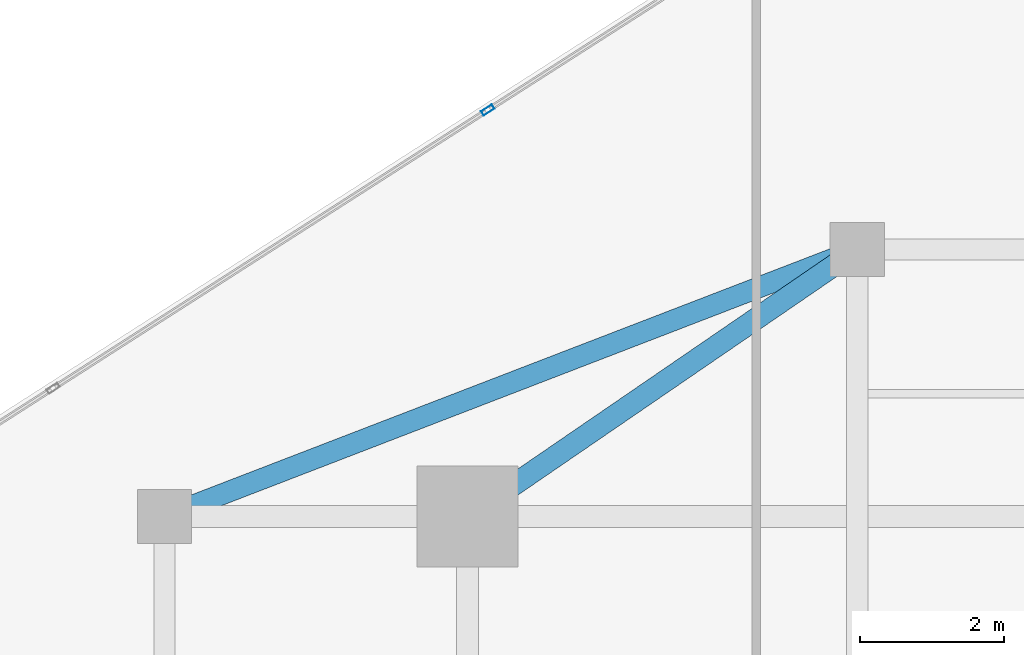
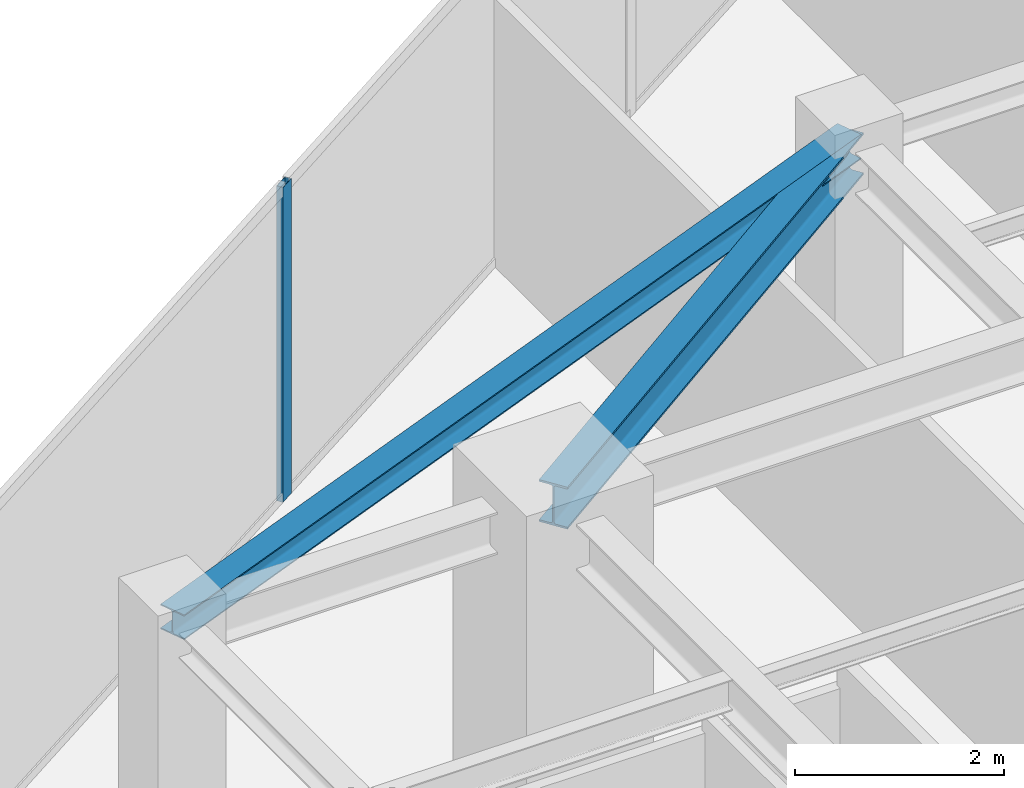
# One storey, part 12 of 20: 2 beams, 1 member, 1 element without a shape of its own.
"""IFC4 building model written with IfcOpenShell, lengths in metres."""

from ifc_helpers import new_model, si_unit, direction, frame, origin, origin_2d, place, context, subcontext, project, spatial, hollow_rectangle, i_section, extrude, source, transform, mapped, material, material_profile, profile_set, type_object, type_shapes, element, aggregate, save


model = new_model("IFC4")

# Units and contexts
model_context = context("Model", 3, precision=1e-05, world=origin(), true_north=direction((0.0, 1.0)))
body_context = subcontext(model_context, "Body", "Model", "MODEL_VIEW")
ifc_project = project(units=[si_unit("LENGTHUNIT", "METRE"), si_unit("AREAUNIT", "SQUARE_METRE"), si_unit("VOLUMEUNIT", "CUBIC_METRE"), si_unit("PLANEANGLEUNIT", "RADIAN"), si_unit("MASSUNIT", "GRAM", prefix="KILO")], contexts=[model_context])

# Site, building, storey
site_placement = place(None, origin())
site = spatial("IfcSite", under=ifc_project, at=site_placement, CompositionType="ELEMENT")
building_placement = place(site_placement, origin())
building = spatial("IfcBuilding", under=site, at=building_placement, Name="Krantzveldt Concourse Tower", CompositionType="ELEMENT")
storey_placement = place(building_placement, frame((0.0, 0.0, 283.199951171875)))
storey = spatial("IfcBuildingStorey", under=building, at=storey_placement, Name="L69", CompositionType="ELEMENT", Elevation=283.199951171875)

# Beams
ifc_material_1 = material(Name="Steel S355JR", Category="steel")
ifc_material_profile_1 = material_profile(ifc_material_1, i_section(OverallWidth=0.300048828125, OverallDepth=0.489990234375, WebThickness=0.011962890625, FlangeThickness=0.02294921875, FilletRadius=0.027099609375, at=origin_2d()), Name="Steel S355JR", Category="steel")
ifc_profile_set_1 = profile_set([ifc_material_profile_1], Name="Steel S355JR - HEA 500")
beam_type_1 = type_object("IfcBeamType", Name="BM-B-HEA500", PredefinedType="BEAM", material=ifc_profile_set_1)
shared_shape_1 = source(origin(), body_context, "Body", "SweptSolid", [
    extrude(i_section(OverallWidth=0.300048828125, OverallDepth=0.489990234375, WebThickness=0.011962890625, FlangeThickness=0.02294921875, FilletRadius=0.027099609375, at=origin_2d()), origin(), (0.0, 0.0, 1.0), 6.546142578125),
])
type_shapes(beam_type_1, [shared_shape_1])
beam_1_placement = place(storey_placement, frame((25.199951171875, 37.5, 3.425048828125), z_axis=(0.824942999484, 0.565215930068, 0.0), x_axis=(-0.565215930068, 0.824942999484, 0.0)))
element("IfcBeam", 1, at=beam_1_placement, inside=storey, type_object=beam_type_1, Name="L69 Tower Girder BR-RL4", PredefinedType="BEAM", context=body_context, shape_type="MappedRepresentation", body=[
    mapped(shared_shape_1, transform((0.0, 0.0, 0.0), x_axis=(1.0, 0.0, 0.0), y_axis=(0.0, 1.0, 0.0), z_axis=(0.0, 0.0, 1.0), scale=1.0)),
])
ifc_material_profile_2 = material_profile(ifc_material_1, i_section(OverallWidth=0.2900390625, OverallDepth=0.2900390625, WebThickness=0.008544921875, FlangeThickness=0.013916015625, FilletRadius=0.027099609375, at=origin_2d()), Name="Steel S355JR", Category="steel")
ifc_profile_set_2 = profile_set([ifc_material_profile_2], Name="Steel S355JR - HEA 300")
beam_type_2 = type_object("IfcBeamType", Name="BM-SP-HEA300", PredefinedType="SPANDREL", material=ifc_profile_set_2)
shared_shape_2 = source(origin(), body_context, "Body", "SweptSolid", [
    extrude(i_section(OverallWidth=0.2900390625, OverallDepth=0.2900390625, WebThickness=0.008544921875, FlangeThickness=0.013916015625, FilletRadius=0.027099609375, at=origin_2d()), origin(), (0.0, 0.0, 1.0), 10.288330078125),
])
type_shapes(beam_type_2, [shared_shape_2])
beam_2_placement = place(storey_placement, frame((21.0, 37.5, 3.525146484375), z_axis=(0.933097690408, 0.359622997257, 0.0), x_axis=(-0.359622997257, 0.933097690408, 0.0)))
element("IfcBeam", 2, at=beam_2_placement, inside=storey, type_object=beam_type_2, Name="L69 Tower Girder SP-R03", PredefinedType="SPANDREL", context=body_context, shape_type="MappedRepresentation", body=[
    mapped(shared_shape_2, transform((0.0, 0.0, 0.0), x_axis=(1.0, 0.0, 0.0), y_axis=(0.0, 1.0, 0.0), z_axis=(0.0, 0.0, 1.0), scale=1.0)),
])

# Curtain wall, member
ifc_material_2 = material(Name="Anodised aluminium 6063-T6", Category="aluminium")
curtain_wall_type = type_object("IfcCurtainWallType", Name="CW4", PredefinedType="USERDEFINED", material=ifc_material_2)
curtain_wall_placement = place(storey_placement, origin())
curtain_wall = element("IfcCurtainWall", 3, at=curtain_wall_placement, inside=storey, type_object=curtain_wall_type, Name="CW-L69-F01", ObjectType="UNITISED CURTAIN WALL", PredefinedType="USERDEFINED")
ifc_material_profile_3 = material_profile(ifc_material_2, hollow_rectangle(XDim=0.070068359375, YDim=0.179931640625, WallThickness=0.0048828125, at=origin_2d()), Name="Anodised aluminium 6063-T6", Category="aluminium")
ifc_profile_set_3 = profile_set([ifc_material_profile_3], Name="Anodised aluminium 6063-T6 - ALU-MULL 180x70x5")
member_type = type_object("IfcMemberType", Name="CW-MUL-180", PredefinedType="MULLION", material=ifc_profile_set_3)
shared_shape_3 = source(origin(), body_context, "Body", "SweptSolid", [
    extrude(hollow_rectangle(XDim=0.070068359375, YDim=0.179931640625, WallThickness=0.0048828125, at=origin_2d()), origin(), (0.0, 0.0, 1.0), 3.670166015625),
])
type_shapes(member_type, [shared_shape_3])
member_placement = place(storey_placement, frame((25.4814453125, 43.131591796875, 0.0), z_axis=(0.0, 0.0, 1.0), x_axis=(0.53913830827, -0.842217243088, 0.0)))
member = element("IfcMember", 4, at=member_placement, type_object=member_type, Name="CW-Z56 mullion 3", PredefinedType="MULLION", context=body_context, shape_type="MappedRepresentation", body=[
    mapped(shared_shape_3, transform((0.0, 0.0, 0.0), x_axis=(1.0, 0.0, 0.0), y_axis=(0.0, 1.0, 0.0), z_axis=(0.0, 0.0, 1.0), scale=1.0)),
])
aggregate(curtain_wall, [member])

save(model, "model.ifc")
